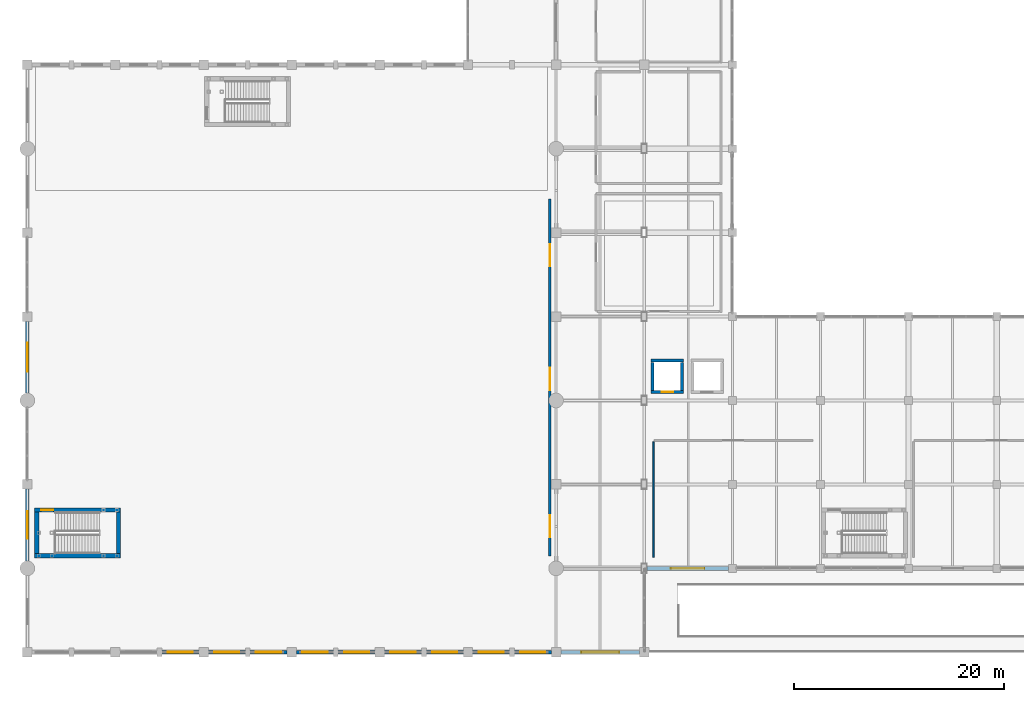
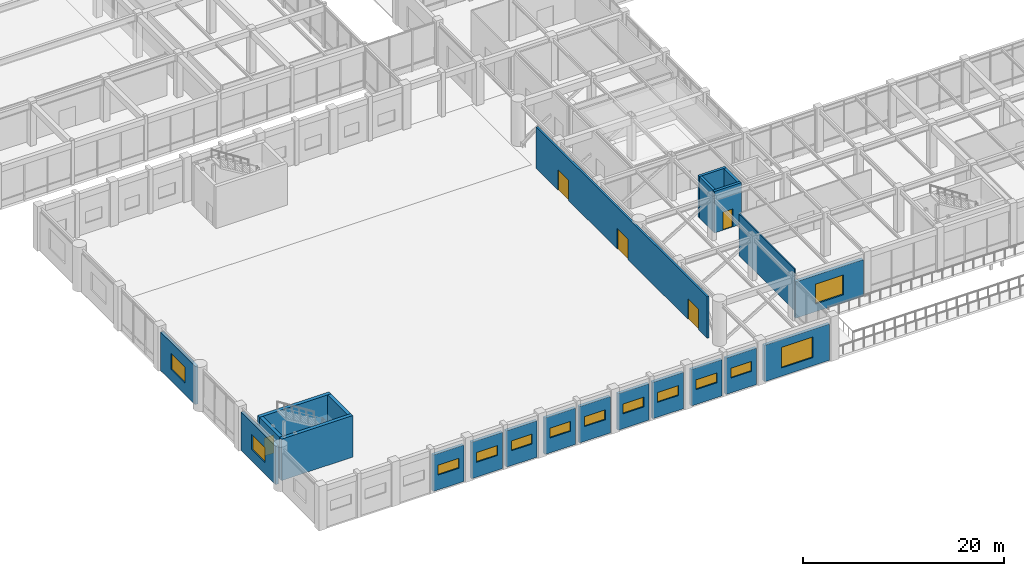
# One storey, part 56 of 79: 23 walls, 13 windows, 5 doors, 18 openings.
"""IFC4 building model written with IfcOpenShell, lengths in metres."""

from ifc_helpers import new_model, si_unit, direction, frame, frame_2d, origin, place, context, subcontext, project, spatial, rectangle, extrude, material, layer, layer_set, type_object, element, fill, save


model = new_model("IFC4")

# Units and contexts
model_context = context("Model", 3, precision=1e-05, world=origin(), true_north=direction((0.0, 1.0)))
body_context = subcontext(model_context, "Body", "Model", "MODEL_VIEW")
ifc_project = project(units=[si_unit("LENGTHUNIT", "METRE"), si_unit("AREAUNIT", "SQUARE_METRE"), si_unit("VOLUMEUNIT", "CUBIC_METRE"), si_unit("PLANEANGLEUNIT", "RADIAN"), si_unit("MASSUNIT", "GRAM", prefix="KILO")], contexts=[model_context])

# Site, building, storey
site_placement = place(None, origin())
site = spatial("IfcSite", under=ifc_project, at=site_placement, CompositionType="ELEMENT")
building_placement = place(site_placement, origin())
building = spatial("IfcBuilding", under=site, at=building_placement, Name="Naruveol Harbour Congress Hotel", CompositionType="ELEMENT")
storey_placement = place(building_placement, frame((0.0, 0.0, 6.0)))
storey = spatial("IfcBuildingStorey", under=building, at=storey_placement, Name="L01", CompositionType="ELEMENT", Elevation=6.0)

# Wall, opening, window
ifc_material_1 = material(Name="Concrete C40/50", Category="concrete")
ifc_layer_1 = layer(ifc_material_1, 0.340087890625)
ifc_layer_set_1 = layer_set([ifc_layer_1], Name="Concrete C40/50")
wall_type_1 = type_object("IfcWallType", Name="ACOUSTIC CONGRESS ENVELOPE WALL 340", PredefinedType="SOLIDWALL", material=ifc_layer_set_1)
wall_1_placement = place(storey_placement, frame((49.949951171875, 0.0, 0.0), z_axis=(0.0, 0.0, 1.0), x_axis=(-1.0, 0.0, 0.0)))
wall_1 = element("IfcWall", 1, at=wall_1_placement, inside=storey, type_object=wall_type_1, Name="Congress south acoustic facade EW-340", PredefinedType="SOLIDWALL", context=body_context, shape_type="SweptSolid", body=[
    extrude(rectangle(XDim=3.52490234375, YDim=0.340087890625, at=frame_2d((1.762451171875, 0.0))), origin(), (0.0, 0.0, 1.0), 4.419921875),
])
opening_1_placement = place(wall_1_placement, frame((0.56298828125, 0.0, 1.800048828125)))
opening_1 = element("IfcOpeningElement", 2, at=opening_1_placement, cuts=wall_1, Name="Opening W-19", PredefinedType="OPENING", context=body_context, shape_type="SweptSolid", body=[
    extrude(rectangle(XDim=2.39990234375, YDim=1.199951171875, at=frame_2d((1.199951171875, 0.60009765625))), frame((0.0, 0.179931640625, 0.0), z_axis=(0.0, -1.0, 0.0), x_axis=(1.0, 0.0, 0.0)), (0.0, 0.0, 1.0), 0.360107421875),
])
ifc_material_2 = material(Name="Low-E Triple Glazing in Thermal Aluminium", Category="aluminium")
window_type_1 = type_object("IfcWindowType", Name="AUDITORIUM ACOUSTIC CLERESTORY 2400X1200", PartitioningType="DOUBLE_PANEL_VERTICAL", PredefinedType="WINDOW", material=ifc_material_2)
window_1_placement = place(opening_1_placement, origin())
window_1 = element("IfcWindow", 3, at=window_1_placement, inside=storey, type_object=window_type_1, Name="Window W-19 #27", OverallHeight=1.199951171875, OverallWidth=2.39990234375, PartitioningType="DOUBLE_PANEL_VERTICAL", PredefinedType="WINDOW", context=body_context, shape_type="SweptSolid", body=[
    extrude(rectangle(XDim=2.39990234375, YDim=1.199951171875, at=frame_2d((1.199951171875, 0.60009765625))), frame((0.0, 0.030029296875, 0.0), z_axis=(0.0, -1.0, 0.0), x_axis=(1.0, 0.0, 0.0)), (0.0, 0.0, 1.0), 0.06005859375),
])
fill(opening_1, window_1)

wall_2_placement = place(storey_placement, frame((45.97509765625, 0.0, 0.0), z_axis=(0.0, 0.0, 1.0), x_axis=(-1.0, 0.0, 0.0)))
wall_2 = element("IfcWall", 4, at=wall_2_placement, inside=storey, type_object=wall_type_1, Name="Congress south acoustic facade EW-340", PredefinedType="SOLIDWALL", context=body_context, shape_type="SweptSolid", body=[
    extrude(rectangle(XDim=3.525146484375, YDim=0.340087890625, at=frame_2d((1.7626953125, 0.0))), origin(), (0.0, 0.0, 1.0), 4.419921875),
])
opening_2_placement = place(wall_2_placement, frame((0.56201171875, 0.0, 1.800048828125)))
opening_2 = element("IfcOpeningElement", 5, at=opening_2_placement, cuts=wall_2, Name="Opening W-19", PredefinedType="OPENING", context=body_context, shape_type="SweptSolid", body=[
    extrude(rectangle(XDim=2.39990234375, YDim=1.199951171875, at=frame_2d((1.199951171875, 0.60009765625))), frame((0.0, 0.179931640625, 0.0), z_axis=(0.0, -1.0, 0.0), x_axis=(1.0, 0.0, 0.0)), (0.0, 0.0, 1.0), 0.360107421875),
])
window_2_placement = place(opening_2_placement, origin())
window_2 = element("IfcWindow", 6, at=window_2_placement, inside=storey, type_object=window_type_1, Name="Window W-19 #28", OverallHeight=1.199951171875, OverallWidth=2.39990234375, PartitioningType="DOUBLE_PANEL_VERTICAL", PredefinedType="WINDOW", context=body_context, shape_type="SweptSolid", body=[
    extrude(rectangle(XDim=2.39990234375, YDim=1.199951171875, at=frame_2d((1.199951171875, 0.60009765625))), frame((0.0, 0.030029296875, 0.0), z_axis=(0.0, -1.0, 0.0), x_axis=(1.0, 0.0, 0.0)), (0.0, 0.0, 1.0), 0.06005859375),
])
fill(opening_2, window_2)

wall_3_placement = place(storey_placement, frame((41.550048828125, 0.0, 0.0), z_axis=(0.0, 0.0, 1.0), x_axis=(-1.0, 0.0, 0.0)))
wall_3 = element("IfcWall", 7, at=wall_3_placement, inside=storey, type_object=wall_type_1, Name="Congress south acoustic facade EW-340", PredefinedType="SOLIDWALL", context=body_context, shape_type="SweptSolid", body=[
    extrude(rectangle(XDim=3.525146484375, YDim=0.340087890625, at=frame_2d((1.7626953125, 0.0))), origin(), (0.0, 0.0, 1.0), 4.419921875),
])
opening_3_placement = place(wall_3_placement, frame((0.56201171875, 0.0, 1.800048828125)))
opening_3 = element("IfcOpeningElement", 8, at=opening_3_placement, cuts=wall_3, Name="Opening W-19", PredefinedType="OPENING", context=body_context, shape_type="SweptSolid", body=[
    extrude(rectangle(XDim=2.39990234375, YDim=1.199951171875, at=frame_2d((1.199951171875, 0.60009765625))), frame((0.0, 0.179931640625, 0.0), z_axis=(0.0, -1.0, 0.0), x_axis=(1.0, 0.0, 0.0)), (0.0, 0.0, 1.0), 0.360107421875),
])
window_3_placement = place(opening_3_placement, origin())
window_3 = element("IfcWindow", 9, at=window_3_placement, inside=storey, type_object=window_type_1, Name="Window W-19 #29", OverallHeight=1.199951171875, OverallWidth=2.39990234375, PartitioningType="DOUBLE_PANEL_VERTICAL", PredefinedType="WINDOW", context=body_context, shape_type="SweptSolid", body=[
    extrude(rectangle(XDim=2.39990234375, YDim=1.199951171875, at=frame_2d((1.199951171875, 0.60009765625))), frame((0.0, 0.030029296875, 0.0), z_axis=(0.0, -1.0, 0.0), x_axis=(1.0, 0.0, 0.0)), (0.0, 0.0, 1.0), 0.06005859375),
])
fill(opening_3, window_3)

wall_4_placement = place(storey_placement, frame((37.574951171875, 0.0, 0.0), z_axis=(0.0, 0.0, 1.0), x_axis=(-1.0, 0.0, 0.0)))
wall_4 = element("IfcWall", 10, at=wall_4_placement, inside=storey, type_object=wall_type_1, Name="Congress south acoustic facade EW-340", PredefinedType="SOLIDWALL", context=body_context, shape_type="SweptSolid", body=[
    extrude(rectangle(XDim=3.52490234375, YDim=0.340087890625, at=frame_2d((1.762451171875, 0.0))), origin(), (0.0, 0.0, 1.0), 4.419921875),
])
opening_4_placement = place(wall_4_placement, frame((0.56298828125, 0.0, 1.800048828125)))
opening_4 = element("IfcOpeningElement", 11, at=opening_4_placement, cuts=wall_4, Name="Opening W-19", PredefinedType="OPENING", context=body_context, shape_type="SweptSolid", body=[
    extrude(rectangle(XDim=2.39990234375, YDim=1.199951171875, at=frame_2d((1.199951171875, 0.60009765625))), frame((0.0, 0.179931640625, 0.0), z_axis=(0.0, -1.0, 0.0), x_axis=(1.0, 0.0, 0.0)), (0.0, 0.0, 1.0), 0.360107421875),
])
window_4_placement = place(opening_4_placement, origin())
window_4 = element("IfcWindow", 12, at=window_4_placement, inside=storey, type_object=window_type_1, Name="Window W-19 #30", OverallHeight=1.199951171875, OverallWidth=2.39990234375, PartitioningType="DOUBLE_PANEL_VERTICAL", PredefinedType="WINDOW", context=body_context, shape_type="SweptSolid", body=[
    extrude(rectangle(XDim=2.39990234375, YDim=1.199951171875, at=frame_2d((1.199951171875, 0.60009765625))), frame((0.0, 0.030029296875, 0.0), z_axis=(0.0, -1.0, 0.0), x_axis=(1.0, 0.0, 0.0)), (0.0, 0.0, 1.0), 0.06005859375),
])
fill(opening_4, window_4)

wall_5_placement = place(storey_placement, frame((33.14990234375, 0.0, 0.0), z_axis=(0.0, 0.0, 1.0), x_axis=(-1.0, 0.0, 0.0)))
wall_5 = element("IfcWall", 13, at=wall_5_placement, inside=storey, type_object=wall_type_1, Name="Congress south acoustic facade EW-340", PredefinedType="SOLIDWALL", context=body_context, shape_type="SweptSolid", body=[
    extrude(rectangle(XDim=3.52490234375, YDim=0.340087890625, at=frame_2d((1.762451171875, 0.0))), origin(), (0.0, 0.0, 1.0), 4.419921875),
])
opening_5_placement = place(wall_5_placement, frame((0.56201171875, 0.0, 1.800048828125)))
opening_5 = element("IfcOpeningElement", 14, at=opening_5_placement, cuts=wall_5, Name="Opening W-19", PredefinedType="OPENING", context=body_context, shape_type="SweptSolid", body=[
    extrude(rectangle(XDim=2.39990234375, YDim=1.199951171875, at=frame_2d((1.199951171875, 0.60009765625))), frame((0.0, 0.179931640625, 0.0), z_axis=(0.0, -1.0, 0.0), x_axis=(1.0, 0.0, 0.0)), (0.0, 0.0, 1.0), 0.360107421875),
])
window_5_placement = place(opening_5_placement, origin())
window_5 = element("IfcWindow", 15, at=window_5_placement, inside=storey, type_object=window_type_1, Name="Window W-19 #31", OverallHeight=1.199951171875, OverallWidth=2.39990234375, PartitioningType="DOUBLE_PANEL_VERTICAL", PredefinedType="WINDOW", context=body_context, shape_type="SweptSolid", body=[
    extrude(rectangle(XDim=2.39990234375, YDim=1.199951171875, at=frame_2d((1.199951171875, 0.60009765625))), frame((0.0, 0.030029296875, 0.0), z_axis=(0.0, -1.0, 0.0), x_axis=(1.0, 0.0, 0.0)), (0.0, 0.0, 1.0), 0.06005859375),
])
fill(opening_5, window_5)

wall_6_placement = place(storey_placement, frame((29.175048828125, 0.0, 0.0), z_axis=(0.0, 0.0, 1.0), x_axis=(-1.0, 0.0, 0.0)))
wall_6 = element("IfcWall", 16, at=wall_6_placement, inside=storey, type_object=wall_type_1, Name="Congress south acoustic facade EW-340", PredefinedType="SOLIDWALL", context=body_context, shape_type="SweptSolid", body=[
    extrude(rectangle(XDim=3.525146484375, YDim=0.340087890625, at=frame_2d((1.7626953125, 0.0))), origin(), (0.0, 0.0, 1.0), 4.419921875),
])
opening_6_placement = place(wall_6_placement, frame((0.56298828125, 0.0, 1.800048828125)))
opening_6 = element("IfcOpeningElement", 17, at=opening_6_placement, cuts=wall_6, Name="Opening W-19", PredefinedType="OPENING", context=body_context, shape_type="SweptSolid", body=[
    extrude(rectangle(XDim=2.39990234375, YDim=1.199951171875, at=frame_2d((1.199951171875, 0.60009765625))), frame((0.0, 0.179931640625, 0.0), z_axis=(0.0, -1.0, 0.0), x_axis=(1.0, 0.0, 0.0)), (0.0, 0.0, 1.0), 0.360107421875),
])
window_6_placement = place(opening_6_placement, origin())
window_6 = element("IfcWindow", 18, at=window_6_placement, inside=storey, type_object=window_type_1, Name="Window W-19 #32", OverallHeight=1.199951171875, OverallWidth=2.39990234375, PartitioningType="DOUBLE_PANEL_VERTICAL", PredefinedType="WINDOW", context=body_context, shape_type="SweptSolid", body=[
    extrude(rectangle(XDim=2.39990234375, YDim=1.199951171875, at=frame_2d((1.199951171875, 0.60009765625))), frame((0.0, 0.030029296875, 0.0), z_axis=(0.0, -1.0, 0.0), x_axis=(1.0, 0.0, 0.0)), (0.0, 0.0, 1.0), 0.06005859375),
])
fill(opening_6, window_6)

wall_7_placement = place(storey_placement, frame((24.75, 0.0, 0.0), z_axis=(0.0, 0.0, 1.0), x_axis=(-1.0, 0.0, 0.0)))
wall_7 = element("IfcWall", 19, at=wall_7_placement, inside=storey, type_object=wall_type_1, Name="Congress south acoustic facade EW-340", PredefinedType="SOLIDWALL", context=body_context, shape_type="SweptSolid", body=[
    extrude(rectangle(XDim=3.52490234375, YDim=0.340087890625, at=frame_2d((1.762451171875, 0.0))), origin(), (0.0, 0.0, 1.0), 4.419921875),
])
opening_7_placement = place(wall_7_placement, frame((0.56201171875, 0.0, 1.800048828125)))
opening_7 = element("IfcOpeningElement", 20, at=opening_7_placement, cuts=wall_7, Name="Opening W-19", PredefinedType="OPENING", context=body_context, shape_type="SweptSolid", body=[
    extrude(rectangle(XDim=2.39990234375, YDim=1.199951171875, at=frame_2d((1.199951171875, 0.60009765625))), frame((0.0, 0.179931640625, 0.0), z_axis=(0.0, -1.0, 0.0), x_axis=(1.0, 0.0, 0.0)), (0.0, 0.0, 1.0), 0.360107421875),
])
window_7_placement = place(opening_7_placement, origin())
window_7 = element("IfcWindow", 21, at=window_7_placement, inside=storey, type_object=window_type_1, Name="Window W-19 #33", OverallHeight=1.199951171875, OverallWidth=2.39990234375, PartitioningType="DOUBLE_PANEL_VERTICAL", PredefinedType="WINDOW", context=body_context, shape_type="SweptSolid", body=[
    extrude(rectangle(XDim=2.39990234375, YDim=1.199951171875, at=frame_2d((1.199951171875, 0.60009765625))), frame((0.0, 0.030029296875, 0.0), z_axis=(0.0, -1.0, 0.0), x_axis=(1.0, 0.0, 0.0)), (0.0, 0.0, 1.0), 0.06005859375),
])
fill(opening_7, window_7)

wall_8_placement = place(storey_placement, frame((20.77490234375, 0.0, 0.0), z_axis=(0.0, 0.0, 1.0), x_axis=(-1.0, 0.0, 0.0)))
wall_8 = element("IfcWall", 22, at=wall_8_placement, inside=storey, type_object=wall_type_1, Name="Congress south acoustic facade EW-340", PredefinedType="SOLIDWALL", context=body_context, shape_type="SweptSolid", body=[
    extrude(rectangle(XDim=3.52490234375, YDim=0.340087890625, at=frame_2d((1.762451171875, 0.0))), origin(), (0.0, 0.0, 1.0), 4.419921875),
])
opening_8_placement = place(wall_8_placement, frame((0.56201171875, 0.0, 1.800048828125)))
opening_8 = element("IfcOpeningElement", 23, at=opening_8_placement, cuts=wall_8, Name="Opening W-19", PredefinedType="OPENING", context=body_context, shape_type="SweptSolid", body=[
    extrude(rectangle(XDim=2.39990234375, YDim=1.199951171875, at=frame_2d((1.199951171875, 0.60009765625))), frame((0.0, 0.179931640625, 0.0), z_axis=(0.0, -1.0, 0.0), x_axis=(1.0, 0.0, 0.0)), (0.0, 0.0, 1.0), 0.360107421875),
])
window_8_placement = place(opening_8_placement, origin())
window_8 = element("IfcWindow", 24, at=window_8_placement, inside=storey, type_object=window_type_1, Name="Window W-19 #34", OverallHeight=1.199951171875, OverallWidth=2.39990234375, PartitioningType="DOUBLE_PANEL_VERTICAL", PredefinedType="WINDOW", context=body_context, shape_type="SweptSolid", body=[
    extrude(rectangle(XDim=2.39990234375, YDim=1.199951171875, at=frame_2d((1.199951171875, 0.60009765625))), frame((0.0, 0.030029296875, 0.0), z_axis=(0.0, -1.0, 0.0), x_axis=(1.0, 0.0, 0.0)), (0.0, 0.0, 1.0), 0.06005859375),
])
fill(opening_8, window_8)

wall_9_placement = place(storey_placement, frame((16.35009765625, 0.0, 0.0), z_axis=(0.0, 0.0, 1.0), x_axis=(-1.0, 0.0, 0.0)))
wall_9 = element("IfcWall", 25, at=wall_9_placement, inside=storey, type_object=wall_type_1, Name="Congress south acoustic facade EW-340", PredefinedType="SOLIDWALL", context=body_context, shape_type="SweptSolid", body=[
    extrude(rectangle(XDim=3.525146484375, YDim=0.340087890625, at=frame_2d((1.7626953125, 0.0))), origin(), (0.0, 0.0, 1.0), 4.419921875),
])
opening_9_placement = place(wall_9_placement, frame((0.56298828125, 0.0, 1.800048828125)))
opening_9 = element("IfcOpeningElement", 26, at=opening_9_placement, cuts=wall_9, Name="Opening W-19", PredefinedType="OPENING", context=body_context, shape_type="SweptSolid", body=[
    extrude(rectangle(XDim=2.39990234375, YDim=1.199951171875, at=frame_2d((1.199951171875, 0.60009765625))), frame((0.0, 0.179931640625, 0.0), z_axis=(0.0, -1.0, 0.0), x_axis=(1.0, 0.0, 0.0)), (0.0, 0.0, 1.0), 0.360107421875),
])
window_9_placement = place(opening_9_placement, origin())
window_9 = element("IfcWindow", 27, at=window_9_placement, inside=storey, type_object=window_type_1, Name="Window W-19 #35", OverallHeight=1.199951171875, OverallWidth=2.39990234375, PartitioningType="DOUBLE_PANEL_VERTICAL", PredefinedType="WINDOW", context=body_context, shape_type="SweptSolid", body=[
    extrude(rectangle(XDim=2.39990234375, YDim=1.199951171875, at=frame_2d((1.199951171875, 0.60009765625))), frame((0.0, 0.030029296875, 0.0), z_axis=(0.0, -1.0, 0.0), x_axis=(1.0, 0.0, 0.0)), (0.0, 0.0, 1.0), 0.06005859375),
])
fill(opening_9, window_9)

wall_10_placement = place(storey_placement, frame((58.35009765625, 0.0, 0.0), z_axis=(0.0, 0.0, 1.0), x_axis=(-1.0, 0.0, 0.0)))
wall_10 = element("IfcWall", 28, at=wall_10_placement, inside=storey, type_object=wall_type_1, Name="Congress foyer south wall EW-340", PredefinedType="SOLIDWALL", context=body_context, shape_type="SweptSolid", body=[
    extrude(rectangle(XDim=7.5, YDim=0.340087890625, at=frame_2d((3.75, 0.0))), origin(), (0.0, 0.0, 1.0), 4.419921875),
])
opening_10_placement = place(wall_10_placement, frame((1.949951171875, 0.0, 1.0)))
opening_10 = element("IfcOpeningElement", 29, at=opening_10_placement, cuts=wall_10, Name="Opening W-12", PredefinedType="OPENING", context=body_context, shape_type="SweptSolid", body=[
    extrude(rectangle(XDim=3.60009765625, YDim=2.5, at=frame_2d((1.800048828125, 1.25))), frame((0.0, 0.179931640625, 0.0), z_axis=(0.0, -1.0, 0.0), x_axis=(1.0, 0.0, 0.0)), (0.0, 0.0, 1.0), 0.360107421875),
])
ifc_material_3 = material(Name="Low-E Triple Glazing in Thermal Aluminium", Category="aluminium")
window_type_2 = type_object("IfcWindowType", Name="CONCOURSE PICTURE WINDOW 3600X2500", PartitioningType="DOUBLE_PANEL_VERTICAL", PredefinedType="WINDOW", material=ifc_material_3)
window_10_placement = place(opening_10_placement, origin())
window_10 = element("IfcWindow", 30, at=window_10_placement, inside=storey, type_object=window_type_2, Name="Window W-12 #39", OverallHeight=2.5, OverallWidth=3.60009765625, PartitioningType="DOUBLE_PANEL_VERTICAL", PredefinedType="WINDOW", context=body_context, shape_type="SweptSolid", body=[
    extrude(rectangle(XDim=3.60009765625, YDim=2.5, at=frame_2d((1.800048828125, 1.25))), frame((0.0, 0.030029296875, 0.0), z_axis=(0.0, -1.0, 0.0), x_axis=(1.0, 0.0, 0.0)), (0.0, 0.0, 1.0), 0.06005859375),
])
fill(opening_10, window_10)

wall_11_placement = place(storey_placement, frame((0.0, 8.699951171875, 0.0), z_axis=(0.0, 0.0, 1.0), x_axis=(0.0, 1.0, 0.0)))
wall_11 = element("IfcWall", 31, at=wall_11_placement, inside=storey, type_object=wall_type_1, Name="Congress west quay facade EW-340", PredefinedType="SOLIDWALL", context=body_context, shape_type="SweptSolid", body=[
    extrude(rectangle(XDim=6.85009765625, YDim=0.340087890625, at=frame_2d((3.425048828125, 0.0))), origin(), (0.0, 0.0, 1.0), 4.669921875),
])
opening_11_placement = place(wall_11_placement, frame((2.125, 0.0, 1.39990234375)))
opening_11 = element("IfcOpeningElement", 32, at=opening_11_placement, cuts=wall_11, Name="Opening W-08", PredefinedType="OPENING", context=body_context, shape_type="SweptSolid", body=[
    extrude(rectangle(XDim=2.60009765625, YDim=1.85009765625, at=frame_2d((1.300048828125, 0.925048828125))), frame((0.0, 0.179931640625, 0.0), z_axis=(0.0, -1.0, 0.0), x_axis=(1.0, 0.0, 0.0)), (0.0, 0.0, 1.0), 0.360107421875),
])
ifc_material_4 = material(Name="Low-E Triple Glazing in Thermal Aluminium", Category="aluminium")
window_type_3 = type_object("IfcWindowType", Name="DIPLOMATIC SUITE WINDOW 2600X1850", PartitioningType="DOUBLE_PANEL_VERTICAL", PredefinedType="WINDOW", material=ifc_material_4)
window_11_placement = place(opening_11_placement, origin())
window_11 = element("IfcWindow", 33, at=window_11_placement, inside=storey, type_object=window_type_3, Name="Window W-08 #41", OverallHeight=1.85009765625, OverallWidth=2.60009765625, PartitioningType="DOUBLE_PANEL_VERTICAL", PredefinedType="WINDOW", context=body_context, shape_type="SweptSolid", body=[
    extrude(rectangle(XDim=2.60009765625, YDim=1.85009765625, at=frame_2d((1.300048828125, 0.925048828125))), frame((0.0, 0.030029296875, 0.0), z_axis=(0.0, -1.0, 0.0), x_axis=(1.0, 0.0, 0.0)), (0.0, 0.0, 1.0), 0.06005859375),
])
fill(opening_11, window_11)

wall_12_placement = place(storey_placement, frame((0.0, 24.699951171875, 0.0), z_axis=(0.0, 0.0, 1.0), x_axis=(0.0, 1.0, 0.0)))
wall_12 = element("IfcWall", 34, at=wall_12_placement, inside=storey, type_object=wall_type_1, Name="Congress west quay facade EW-340", PredefinedType="SOLIDWALL", context=body_context, shape_type="SweptSolid", body=[
    extrude(rectangle(XDim=6.85009765625, YDim=0.340087890625, at=frame_2d((3.425048828125, 0.0))), origin(), (0.0, 0.0, 1.0), 4.669921875),
])
opening_12_placement = place(wall_12_placement, frame((2.02490234375, 0.0, 1.39990234375)))
opening_12 = element("IfcOpeningElement", 35, at=opening_12_placement, cuts=wall_12, Name="Opening W-09", PredefinedType="OPENING", context=body_context, shape_type="SweptSolid", body=[
    extrude(rectangle(XDim=2.800048828125, YDim=1.949951171875, at=frame_2d((1.39990234375, 0.97509765625))), frame((0.0, 0.179931640625, 0.0), z_axis=(0.0, -1.0, 0.0), x_axis=(1.0, 0.0, 0.0)), (0.0, 0.0, 1.0), 0.360107421875),
])
ifc_material_5 = material(Name="Low-E Triple Glazing in Thermal Aluminium", Category="aluminium")
window_type_4 = type_object("IfcWindowType", Name="PRESIDENTIAL SUITE WINDOW 2800X1950", PartitioningType="DOUBLE_PANEL_VERTICAL", PredefinedType="WINDOW", material=ifc_material_5)
window_12_placement = place(opening_12_placement, origin())
window_12 = element("IfcWindow", 36, at=window_12_placement, inside=storey, type_object=window_type_4, Name="Window W-09 #42", OverallHeight=1.949951171875, OverallWidth=2.800048828125, PartitioningType="DOUBLE_PANEL_VERTICAL", PredefinedType="WINDOW", context=body_context, shape_type="SweptSolid", body=[
    extrude(rectangle(XDim=2.800048828125, YDim=1.949951171875, at=frame_2d((1.39990234375, 0.97509765625))), frame((0.0, 0.030029296875, 0.0), z_axis=(0.0, -1.0, 0.0), x_axis=(1.0, 0.0, 0.0)), (0.0, 0.0, 1.0), 0.06005859375),
])
fill(opening_12, window_12)

# Wall
ifc_material_6 = material(Name="Acoustic Double Stud Gypsum", Category="gypsum")
ifc_layer_2 = layer(ifc_material_6, 0.139892578125)
ifc_layer_set_2 = layer_set([ifc_layer_2], Name="Acoustic Double Stud Gypsum")
wall_type_2 = type_object("IfcWallType", Name="ACOUSTIC MEETING PARTITION WALL 140", PredefinedType="PARTITIONING", material=ifc_layer_set_2)
wall_13_placement = place(storey_placement, frame((59.679931640625, 9.050048828125, 0.0), z_axis=(0.0, 0.0, 1.0), x_axis=(0.0, 1.0, 0.0)))
element("IfcWall", 37, at=wall_13_placement, inside=storey, type_object=wall_type_2, Name="Atrium Dining Restaurant west partition PW-140", PredefinedType="PARTITIONING", context=body_context, shape_type="SweptSolid", body=[
    extrude(rectangle(XDim=11.010009765625, YDim=0.139892578125, at=frame_2d((5.5048828125, 0.0))), origin(), (0.0, 0.0, 1.0), 5.044921875),
])

# Wall, openings, doors
ifc_material_7 = material(Name="Concrete C40/50", Category="concrete")
ifc_layer_3 = layer(ifc_material_7, 0.219970703125)
ifc_layer_set_3 = layer_set([ifc_layer_3], Name="Concrete C40/50")
wall_type_3 = type_object("IfcWallType", Name="FIRE COMPARTMENT AND LOBBY WALL 220 EI120", PredefinedType="PARTITIONING", material=ifc_layer_set_3)
wall_14_placement = place(storey_placement, frame((49.800048828125, 9.199951171875, 0.0), z_axis=(0.0, 0.0, 1.0), x_axis=(0.0, 1.0, 0.0)))
wall_14 = element("IfcWall", 38, at=wall_14_placement, inside=storey, type_object=wall_type_3, Name="Congress Hall east acoustic wall FW-220", PredefinedType="PARTITIONING", context=body_context, shape_type="SweptSolid", body=[
    extrude(rectangle(XDim=34.0, YDim=0.219970703125, at=frame_2d((17.0, 0.0))), origin(), (0.0, 0.0, 1.0), 5.044921875),
])
opening_13_placement = place(wall_14_placement, frame((1.75, 0.0, 0.0)))
opening_13 = element("IfcOpeningElement", 39, at=opening_13_placement, cuts=wall_14, Name="Opening AD-CH1", PredefinedType="OPENING", context=body_context, shape_type="SweptSolid", body=[
    extrude(rectangle(XDim=2.10009765625, YDim=2.5, at=frame_2d((1.050048828125, 1.25))), frame((0.0, 0.119873046875, 0.0), z_axis=(0.0, -1.0, 0.0), x_axis=(1.0, 0.0, 0.0)), (0.0, 0.0, 1.0), 0.239990234375),
])
opening_14_placement = place(wall_14_placement, frame((15.800048828125, 0.0, 0.0)))
opening_14 = element("IfcOpeningElement", 40, at=opening_14_placement, cuts=wall_14, Name="Opening AD-CH2", PredefinedType="OPENING", context=body_context, shape_type="SweptSolid", body=[
    extrude(rectangle(XDim=2.10009765625, YDim=2.5, at=frame_2d((1.050048828125, 1.25))), frame((0.0, 0.119873046875, 0.0), z_axis=(0.0, -1.0, 0.0), x_axis=(1.0, 0.0, 0.0)), (0.0, 0.0, 1.0), 0.239990234375),
])
opening_15_placement = place(wall_14_placement, frame((27.60009765625, 0.0, 0.0)))
opening_15 = element("IfcOpeningElement", 41, at=opening_15_placement, cuts=wall_14, Name="Opening AD-CH3", PredefinedType="OPENING", context=body_context, shape_type="SweptSolid", body=[
    extrude(rectangle(XDim=2.10009765625, YDim=2.5, at=frame_2d((1.050048828125, 1.25))), frame((0.0, 0.119873046875, 0.0), z_axis=(0.0, -1.0, 0.0), x_axis=(1.0, 0.0, 0.0)), (0.0, 0.0, 1.0), 0.239990234375),
])
ifc_material_8 = material(Name="Timber & Steel Acoustic Leaf", Category="steel")
door_type_1 = type_object("IfcDoorType", Name="CONGRESS HALL ACOUSTIC DOUBLE DOOR 2100X2500", OperationType="DOUBLE_DOOR_SINGLE_SWING", PredefinedType="DOOR", material=ifc_material_8)
door_1_placement = place(opening_13_placement, origin())
door_1 = element("IfcDoor", 42, at=door_1_placement, inside=storey, type_object=door_type_1, Name="Congress Hall Acoustic Portal AD-CH1", OperationType="DOUBLE_DOOR_SINGLE_SWING", OverallHeight=2.5, OverallWidth=2.10009765625, PredefinedType="DOOR", context=body_context, shape_type="SweptSolid", body=[
    extrude(rectangle(XDim=2.10009765625, YDim=2.5, at=frame_2d((1.050048828125, 1.25))), frame((0.0, 0.02490234375, 0.0), z_axis=(0.0, -1.0, 0.0), x_axis=(1.0, 0.0, 0.0)), (0.0, 0.0, 1.0), 0.050048828125),
])
fill(opening_13, door_1)
door_2_placement = place(opening_14_placement, origin())
door_2 = element("IfcDoor", 43, at=door_2_placement, inside=storey, type_object=door_type_1, Name="Congress Hall Acoustic Portal AD-CH2", OperationType="DOUBLE_DOOR_SINGLE_SWING", OverallHeight=2.5, OverallWidth=2.10009765625, PredefinedType="DOOR", context=body_context, shape_type="SweptSolid", body=[
    extrude(rectangle(XDim=2.10009765625, YDim=2.5, at=frame_2d((1.050048828125, 1.25))), frame((0.0, 0.02490234375, 0.0), z_axis=(0.0, -1.0, 0.0), x_axis=(1.0, 0.0, 0.0)), (0.0, 0.0, 1.0), 0.050048828125),
])
fill(opening_14, door_2)
door_3_placement = place(opening_15_placement, origin())
door_3 = element("IfcDoor", 44, at=door_3_placement, inside=storey, type_object=door_type_1, Name="Congress Hall Acoustic Portal AD-CH3", OperationType="DOUBLE_DOOR_SINGLE_SWING", OverallHeight=2.5, OverallWidth=2.10009765625, PredefinedType="DOOR", context=body_context, shape_type="SweptSolid", body=[
    extrude(rectangle(XDim=2.10009765625, YDim=2.5, at=frame_2d((1.050048828125, 1.25))), frame((0.0, 0.02490234375, 0.0), z_axis=(0.0, -1.0, 0.0), x_axis=(1.0, 0.0, 0.0)), (0.0, 0.0, 1.0), 0.050048828125),
])
fill(opening_15, door_3)

# Wall, opening, window
ifc_material_9 = material(Name="Concrete C40/50", Category="concrete")
ifc_layer_4 = layer(ifc_material_9, 0.3798828125)
ifc_layer_set_4 = layer_set([ifc_layer_4], Name="Concrete C40/50")
wall_type_4 = type_object("IfcWallType", Name="INSULATED GRANITE FACADE WALL 380", PredefinedType="SOLIDWALL", material=ifc_layer_set_4)
wall_15_placement = place(storey_placement, frame((66.824951171875, 8.0, 0.0), z_axis=(0.0, 0.0, 1.0), x_axis=(-1.0, 0.0, 0.0)))
wall_15 = element("IfcWall", 45, at=wall_15_placement, inside=storey, type_object=wall_type_4, Name="Courtyard wing south facade EW-380", PredefinedType="SOLIDWALL", context=body_context, shape_type="SweptSolid", body=[
    extrude(rectangle(XDim=7.77490234375, YDim=0.3798828125, at=frame_2d((3.887451171875, 0.0))), origin(), (0.0, 0.0, 1.0), 4.419921875),
])
opening_16_placement = place(wall_15_placement, frame((2.2880859375, 0.0, 0.949951171875)))
opening_16 = element("IfcOpeningElement", 46, at=opening_16_placement, cuts=wall_15, Name="Opening W-11", PredefinedType="OPENING", context=body_context, shape_type="SweptSolid", body=[
    extrude(rectangle(XDim=3.199951171875, YDim=2.39990234375, at=frame_2d((1.60009765625, 1.199951171875))), frame((0.0, 0.199951171875, 0.0), z_axis=(0.0, -1.0, 0.0), x_axis=(1.0, 0.0, 0.0)), (0.0, 0.0, 1.0), 0.39990234375),
])
ifc_material_10 = material(Name="Low-E Triple Glazing in Thermal Aluminium", Category="aluminium")
window_type_5 = type_object("IfcWindowType", Name="BRASSERIE WATERFRONT WINDOW 3200X2400", PartitioningType="DOUBLE_PANEL_VERTICAL", PredefinedType="WINDOW", material=ifc_material_10)
window_13_placement = place(opening_16_placement, origin())
window_13 = element("IfcWindow", 47, at=window_13_placement, inside=storey, type_object=window_type_5, Name="Window W-11 #140", OverallHeight=2.39990234375, OverallWidth=3.199951171875, PartitioningType="DOUBLE_PANEL_VERTICAL", PredefinedType="WINDOW", context=body_context, shape_type="SweptSolid", body=[
    extrude(rectangle(XDim=3.199951171875, YDim=2.39990234375, at=frame_2d((1.60009765625, 1.199951171875))), frame((0.0, 0.030029296875, 0.0), z_axis=(0.0, -1.0, 0.0), x_axis=(1.0, 0.0, 0.0)), (0.0, 0.0, 1.0), 0.06005859375),
])
fill(opening_16, window_13)

# Walls
ifc_material_11 = material(Name="Concrete C50/60", Category="concrete")
ifc_layer_5 = layer(ifc_material_11, 0.39990234375)
ifc_layer_set_5 = layer_set([ifc_layer_5], Name="Concrete C50/60")
wall_type_5 = type_object("IfcWallType", Name="RC CORE SHEAR WALL 400 EI120", PredefinedType="SHEAR", material=ifc_layer_set_5)
wall_16_placement = place(storey_placement, frame((0.699951171875, 9.199951171875, 0.0), z_axis=(0.0, 0.0, 1.0), x_axis=(1.0, 0.0, 0.0)))
element("IfcWall", 48, at=wall_16_placement, inside=storey, type_object=wall_type_5, Name="Stair ST5 south core wall CW-400", PredefinedType="SHEAR", context=body_context, shape_type="SweptSolid", body=[
    extrude(rectangle(XDim=8.199951171875, YDim=0.39990234375, at=frame_2d((4.10009765625, 0.0))), origin(), (0.0, 0.0, 1.0), 5.044921875),
])
wall_17_placement = place(storey_placement, frame((8.699951171875, 9.405029296875, 0.0), z_axis=(0.0, 0.0, 1.0), x_axis=(0.0, 1.0, 0.0)))
element("IfcWall", 49, at=wall_17_placement, inside=storey, type_object=wall_type_5, Name="Stair ST5 east core wall CW-400", PredefinedType="SHEAR", context=body_context, shape_type="SweptSolid", body=[
    extrude(rectangle(XDim=3.949951171875, YDim=0.39990234375, at=frame_2d((1.97509765625, 0.0))), origin(), (0.0, 0.0, 1.0), 5.044921875),
])

# Wall, opening, door
wall_18_placement = place(storey_placement, frame((0.699951171875, 13.56005859375, 0.0), z_axis=(0.0, 0.0, 1.0), x_axis=(1.0, 0.0, 0.0)))
wall_18 = element("IfcWall", 50, at=wall_18_placement, inside=storey, type_object=wall_type_5, Name="Stair ST5 north core wall CW-400", PredefinedType="SHEAR", context=body_context, shape_type="SweptSolid", body=[
    extrude(rectangle(XDim=8.199951171875, YDim=0.39990234375, at=frame_2d((4.10009765625, 0.0))), origin(), (0.0, 0.0, 1.0), 5.044921875),
])
opening_17_placement = place(wall_18_placement, frame((0.6201171875, 0.0, 0.0)))
opening_17 = element("IfcOpeningElement", 51, at=opening_17_placement, cuts=wall_18, Name="Opening FD-ST5-L01", PredefinedType="OPENING", context=body_context, shape_type="SweptSolid", body=[
    extrude(rectangle(XDim=1.159912109375, YDim=2.199951171875, at=frame_2d((0.580078125, 1.10009765625))), frame((0.0, 0.2099609375, 0.0), z_axis=(0.0, -1.0, 0.0), x_axis=(1.0, 0.0, 0.0)), (0.0, 0.0, 1.0), 0.419921875),
])
ifc_material_12 = material(Name="Timber & Steel Acoustic Leaf", Category="steel")
door_type_2 = type_object("IfcDoorType", Name="SPECIAL ESCAPE STAIR FIRE DOOR 1160X2200", OperationType="NOTDEFINED", PredefinedType="DOOR", material=ifc_material_12)
door_4_placement = place(opening_17_placement, origin())
door_4 = element("IfcDoor", 52, at=door_4_placement, inside=storey, type_object=door_type_2, Name="Enclosed Exit Stair Door ST5 L01", OperationType="SINGLE_SWING_RIGHT", OverallHeight=2.199951171875, OverallWidth=1.159912109375, PredefinedType="DOOR", context=body_context, shape_type="SweptSolid", body=[
    extrude(rectangle(XDim=1.159912109375, YDim=2.199951171875, at=frame_2d((0.580078125, 1.10009765625))), frame((0.0, 0.02490234375, 0.0), z_axis=(0.0, -1.0, 0.0), x_axis=(1.0, 0.0, 0.0)), (0.0, 0.0, 1.0), 0.050048828125),
])
fill(opening_17, door_4)

# Wall
wall_19_placement = place(storey_placement, frame((0.89990234375, 9.405029296875, 0.0), z_axis=(0.0, 0.0, 1.0), x_axis=(0.0, 1.0, 0.0)))
element("IfcWall", 53, at=wall_19_placement, inside=storey, type_object=wall_type_5, Name="Stair ST5 west core wall CW-400", PredefinedType="SHEAR", context=body_context, shape_type="SweptSolid", body=[
    extrude(rectangle(XDim=3.949951171875, YDim=0.39990234375, at=frame_2d((1.97509765625, 0.0))), origin(), (0.0, 0.0, 1.0), 5.044921875),
])

# Wall, opening, door
ifc_material_13 = material(Name="Concrete C50/60", Category="concrete")
ifc_layer_6 = layer(ifc_material_13, 0.300048828125)
ifc_layer_set_6 = layer_set([ifc_layer_6], Name="Concrete C50/60")
wall_type_6 = type_object("IfcWallType", Name="RC STAIR AND HOISTWAY SHEAR WALL 300 EI120", PredefinedType="SHEAR", material=ifc_layer_set_6)
wall_20_placement = place(storey_placement, frame((59.449951171875, 24.800048828125, 0.0), z_axis=(0.0, 0.0, 1.0), x_axis=(1.0, 0.0, 0.0)))
wall_20 = element("IfcWall", 54, at=wall_20_placement, inside=storey, type_object=wall_type_6, Name="Hoistway south shear wall CL1 SW-300", PredefinedType="SHEAR", context=body_context, shape_type="SweptSolid", body=[
    extrude(rectangle(XDim=3.10009765625, YDim=0.300048828125, at=frame_2d((1.550048828125, 0.0))), origin(), (0.0, 0.0, 1.0), 5.044921875),
])
opening_18_placement = place(wall_20_placement, frame((1.0, 0.0, 0.0)))
opening_18 = element("IfcOpeningElement", 55, at=opening_18_placement, cuts=wall_20, Name="Opening LD-CL1-L01", PredefinedType="OPENING", context=body_context, shape_type="SweptSolid", body=[
    extrude(rectangle(XDim=1.10009765625, YDim=2.199951171875, at=frame_2d((0.550048828125, 1.10009765625))), frame((0.0, 0.159912109375, 0.0), z_axis=(0.0, -1.0, 0.0), x_axis=(1.0, 0.0, 0.0)), (0.0, 0.0, 1.0), 0.320068359375),
])
ifc_material_14 = material(Name="Stainless Steel Lift Door", Category="steel")
door_type_3 = type_object("IfcDoorType", Name="PASSENGER LIFT LANDING DOOR 1100X2200", OperationType="DOUBLE_DOOR_SLIDING", PredefinedType="DOOR", material=ifc_material_14)
door_5_placement = place(opening_18_placement, origin())
door_5 = element("IfcDoor", 56, at=door_5_placement, inside=storey, type_object=door_type_3, Name="Elevator Landing Door CL1 L01", OperationType="DOUBLE_DOOR_SLIDING", OverallHeight=2.199951171875, OverallWidth=1.10009765625, PredefinedType="DOOR", context=body_context, shape_type="SweptSolid", body=[
    extrude(rectangle(XDim=1.10009765625, YDim=2.199951171875, at=frame_2d((0.550048828125, 1.10009765625))), frame((0.0, 0.02490234375, 0.0), z_axis=(0.0, -1.0, 0.0), x_axis=(1.0, 0.0, 0.0)), (0.0, 0.0, 1.0), 0.050048828125),
])
fill(opening_18, door_5)

# Walls
wall_21_placement = place(storey_placement, frame((62.39990234375, 24.955078125, 0.0), z_axis=(0.0, 0.0, 1.0), x_axis=(0.0, 1.0, 0.0)))
element("IfcWall", 57, at=wall_21_placement, inside=storey, type_object=wall_type_6, Name="Hoistway east shear wall CL1 SW-300", PredefinedType="SHEAR", context=body_context, shape_type="SweptSolid", body=[
    extrude(rectangle(XDim=2.68994140625, YDim=0.300048828125, at=frame_2d((1.344970703125, 0.0))), origin(), (0.0, 0.0, 1.0), 5.044921875),
])
wall_22_placement = place(storey_placement, frame((62.550048828125, 27.800048828125, 0.0), z_axis=(0.0, 0.0, 1.0), x_axis=(-1.0, 0.0, 0.0)))
element("IfcWall", 58, at=wall_22_placement, inside=storey, type_object=wall_type_6, Name="Hoistway north shear wall CL1 SW-300", PredefinedType="SHEAR", context=body_context, shape_type="SweptSolid", body=[
    extrude(rectangle(XDim=3.10009765625, YDim=0.300048828125, at=frame_2d((1.550048828125, 0.0))), origin(), (0.0, 0.0, 1.0), 5.044921875),
])
wall_23_placement = place(storey_placement, frame((59.60009765625, 27.64501953125, 0.0), z_axis=(0.0, 0.0, 1.0), x_axis=(0.0, -1.0, 0.0)))
element("IfcWall", 59, at=wall_23_placement, inside=storey, type_object=wall_type_6, Name="Hoistway west shear wall CL1 SW-300", PredefinedType="SHEAR", context=body_context, shape_type="SweptSolid", body=[
    extrude(rectangle(XDim=2.68994140625, YDim=0.300048828125, at=frame_2d((1.344970703125, 0.0))), origin(), (0.0, 0.0, 1.0), 5.044921875),
])

save(model, "model.ifc")
